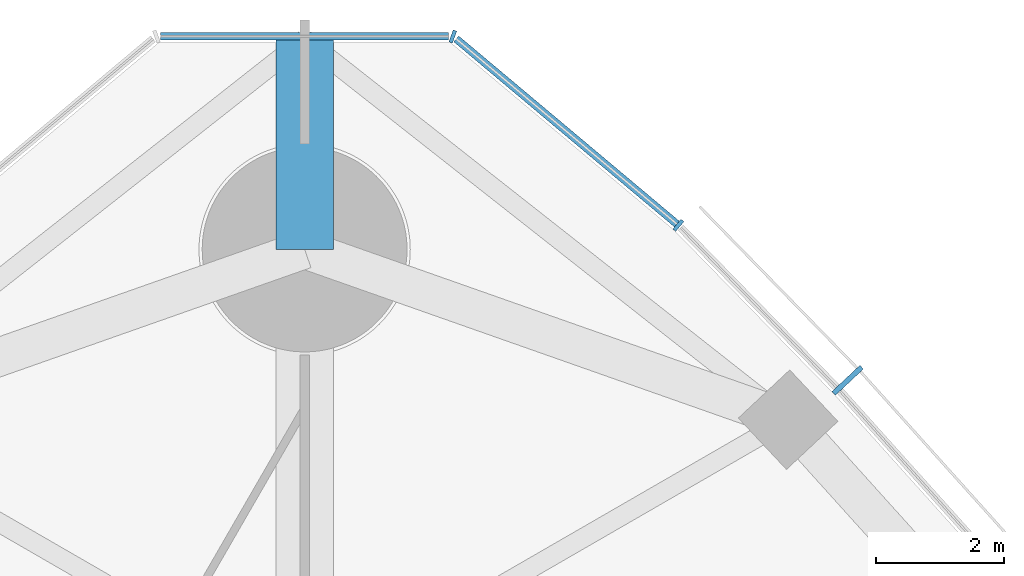
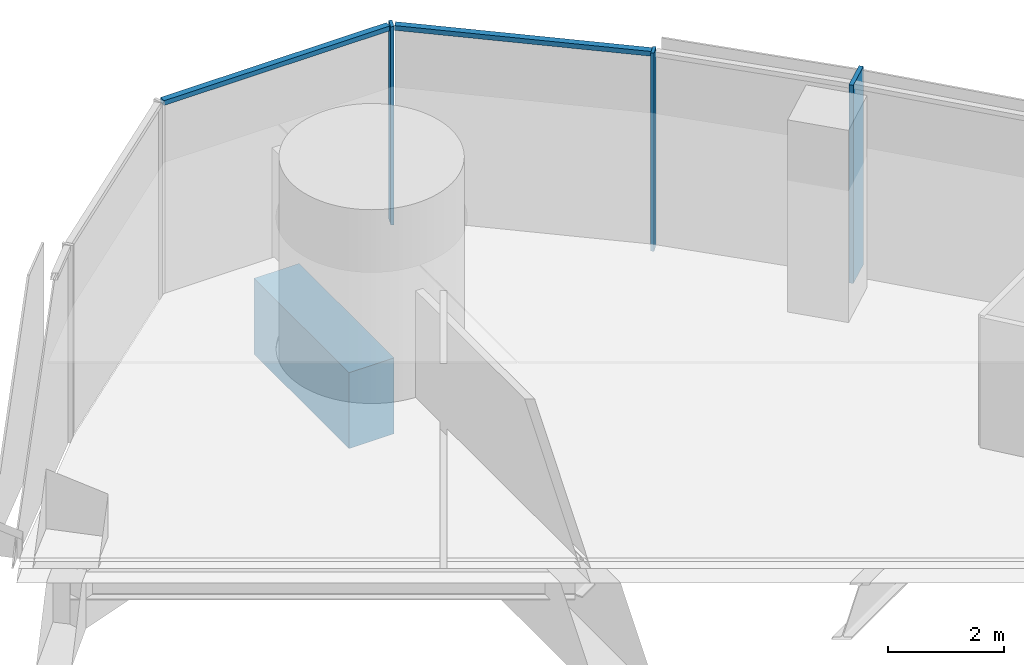
# One storey, part 8 of 20: 5 members, 1 beam, 2 elements without a shape of their own.
"""IFC4 building model written with IfcOpenShell, lengths in metres."""

from ifc_helpers import new_model, si_unit, direction, frame, origin, origin_2d, place, context, subcontext, project, spatial, rectangle, extrude, material, material_profile, profile_set, type_object, element, aggregate, save


model = new_model("IFC4")

# Units and contexts
model_context = context("Model", 3, precision=1e-05, world=origin(), true_north=direction((0.0, 1.0)))
body_context = subcontext(model_context, "Body", "Model", "MODEL_VIEW")
ifc_project = project(units=[si_unit("LENGTHUNIT", "METRE"), si_unit("AREAUNIT", "SQUARE_METRE"), si_unit("VOLUMEUNIT", "CUBIC_METRE"), si_unit("PLANEANGLEUNIT", "RADIAN"), si_unit("MASSUNIT", "GRAM", prefix="KILO")], contexts=[model_context])

# Site, building, storey
site_placement = place(None, origin())
site = spatial("IfcSite", under=ifc_project, at=site_placement, CompositionType="ELEMENT")
building_placement = place(site_placement, origin())
building = spatial("IfcBuilding", under=site, at=building_placement, Name="Trefoil Bronze Tower", CompositionType="ELEMENT")
storey_placement = place(building_placement, frame((0.0, 0.0, 219.10009765625)))
storey = spatial("IfcBuildingStorey", under=building, at=storey_placement, Name="L50", CompositionType="ELEMENT", Elevation=219.10009765625)

# Curtain wall, member
ifc_material_1 = material(Name="Tinted solar-control glass", Category="glass")
curtain_wall_type_1 = type_object("IfcCurtainWallType", Name="Bronze office curtain wall", PredefinedType="USERDEFINED", material=ifc_material_1)
curtain_wall_1_placement = place(storey_placement, origin())
curtain_wall_1 = element("IfcCurtainWall", 1, at=curtain_wall_1_placement, inside=storey, type_object=curtain_wall_type_1, Name="CW-A L50 F2", ObjectType="CURTAIN WALL", PredefinedType="USERDEFINED")
ifc_material_2 = material(Name="Bronze-finish aluminium", Category="aluminium")
ifc_material_profile_1 = material_profile(ifc_material_2, rectangle(XDim=0.60009765625, YDim=0.080078125, at=origin_2d()), Name="CW-A mullion")
ifc_profile_set_1 = profile_set([ifc_material_profile_1], Name="Bronze-finish aluminium")
member_type_1 = type_object("IfcMemberType", Name="Bronze office curtain wall mullion", PredefinedType="MULLION", material=ifc_profile_set_1)
member_1_placement = place(storey_placement, frame((8.482177734375, 30.95654296875, 0.0), z_axis=(0.0, 0.0, 1.0), x_axis=(-0.729859580661, -0.683597098091, 0.0)))
member_1 = element("IfcMember", 2, at=member_1_placement, type_object=member_type_1, Name="CW-A L50 F2 mullion 12", PredefinedType="MULLION", context=body_context, shape_type="SweptSolid", body=[
    extrude(rectangle(XDim=0.60009765625, YDim=0.080078125, at=origin_2d()), origin(), (0.0, 0.0, 1.0), 4.179931640625),
])
aggregate(curtain_wall_1, [member_1])

# Curtain wall, members
ifc_material_3 = material(Name="Tinted solar-control glass", Category="glass")
curtain_wall_type_2 = type_object("IfcCurtainWallType", Name="Bronze rounded corner curtain wall", PredefinedType="USERDEFINED", material=ifc_material_3)
curtain_wall_2_placement = place(storey_placement, origin())
curtain_wall_2 = element("IfcCurtainWall", 3, at=curtain_wall_2_placement, inside=storey, type_object=curtain_wall_type_2, Name="CW-B L50 K2", ObjectType="CURTAIN WALL", PredefinedType="USERDEFINED")
ifc_material_4 = material(Name="Bronze-finish aluminium", Category="aluminium")
ifc_material_profile_2 = material_profile(ifc_material_4, rectangle(XDim=0.199951171875, YDim=0.06005859375, at=origin_2d()), Name="CW-B mullion")
ifc_profile_set_2 = profile_set([ifc_material_profile_2], Name="Bronze-finish aluminium")
member_type_2 = type_object("IfcMemberType", Name="Bronze rounded corner curtain wall mullion", PredefinedType="MULLION", material=ifc_profile_set_2)
member_2_placement = place(storey_placement, frame((5.837890625, 33.3779296875, 0.0), z_axis=(0.0, 0.0, 1.0), x_axis=(-0.642787609687, -0.766044443119, 0.0)))
member_2 = element("IfcMember", 4, at=member_2_placement, type_object=member_type_2, Name="CW-B L50 K2 mullion 1", PredefinedType="MULLION", context=body_context, shape_type="SweptSolid", body=[
    extrude(rectangle(XDim=0.199951171875, YDim=0.06005859375, at=origin_2d()), origin(), (0.0, 0.0, 1.0), 4.179931640625),
])
member_3_placement = place(storey_placement, frame((2.314453125, 36.326416015625, 0.0), z_axis=(0.0, 0.0, 1.0), x_axis=(-0.342020143326, -0.939692620786, 0.0)))
member_3 = element("IfcMember", 5, at=member_3_placement, type_object=member_type_2, Name="CW-B L50 K2 mullion 2", PredefinedType="MULLION", context=body_context, shape_type="SweptSolid", body=[
    extrude(rectangle(XDim=0.199951171875, YDim=0.06005859375, at=origin_2d()), origin(), (0.0, 0.0, 1.0), 4.179931640625),
])
ifc_material_5 = material(Name="Bronze-finish aluminium", Category="aluminium")
ifc_material_profile_3 = material_profile(ifc_material_5, rectangle(XDim=0.1201171875, YDim=0.10009765625, at=origin_2d()), Name="CW-B transom")
ifc_profile_set_3 = profile_set([ifc_material_profile_3], Name="Bronze-finish aluminium")
member_type_3 = type_object("IfcMemberType", Name="Bronze rounded corner curtain wall transom", PredefinedType="USERDEFINED", material=ifc_profile_set_3)
member_4_placement = place(storey_placement, frame((5.814697265625, 33.397216796875, 4.1298828125), z_axis=(-0.766046761698, 0.642784846501, 0.0), x_axis=(-0.642784846501, -0.766046761698, 0.0)))
member_4 = element("IfcMember", 6, at=member_4_placement, type_object=member_type_3, Name="CW-B L50 K2 transom 1", ObjectType="TRANSOM", PredefinedType="USERDEFINED", context=body_context, shape_type="SweptSolid", body=[
    extrude(rectangle(XDim=0.1201171875, YDim=0.10009765625, at=origin_2d()), origin(), (0.0, 0.0, 1.0), 4.5),
])
member_5_placement = place(storey_placement, frame((2.250244140625, 36.33251953125, 4.1298828125), z_axis=(-1.0, 0.0, 0.0), x_axis=(0.0, -1.0, 0.0)))
member_5 = element("IfcMember", 7, at=member_5_placement, type_object=member_type_3, Name="CW-B L50 K2 transom 2", ObjectType="TRANSOM", PredefinedType="USERDEFINED", context=body_context, shape_type="SweptSolid", body=[
    extrude(rectangle(XDim=0.1201171875, YDim=0.10009765625, at=origin_2d()), origin(), (0.0, 0.0, 1.0), 4.50048828125),
])
aggregate(curtain_wall_2, [member_2, member_3, member_4, member_5])

# Beam
ifc_material_6 = material(Name="Concrete B80", Category="concrete")
ifc_material_profile_4 = material_profile(ifc_material_6, rectangle(XDim=0.89990234375, YDim=1.60009765625, at=origin_2d()), Name="RC 900x1600")
ifc_profile_set_4 = profile_set([ifc_material_profile_4], Name="Concrete B80")
beam_type = type_object("IfcBeamType", Name="Corner cantilever RC 900x1600", PredefinedType="BEAM", material=ifc_profile_set_4)
beam_placement = place(storey_placement, frame((0.0, 33.0, -1.0), z_axis=(0.0, 1.0, 0.0), x_axis=(-1.0, 0.0, 0.0)))
element("IfcBeam", 8, at=beam_placement, inside=storey, type_object=beam_type, Name="Corner cantilever K2 L50", PredefinedType="BEAM", context=body_context, shape_type="SweptSolid", body=[
    extrude(rectangle(XDim=0.89990234375, YDim=1.60009765625, at=origin_2d()), origin(), (0.0, 0.0, 1.0), 3.28466796875),
])

save(model, "model.ifc")
